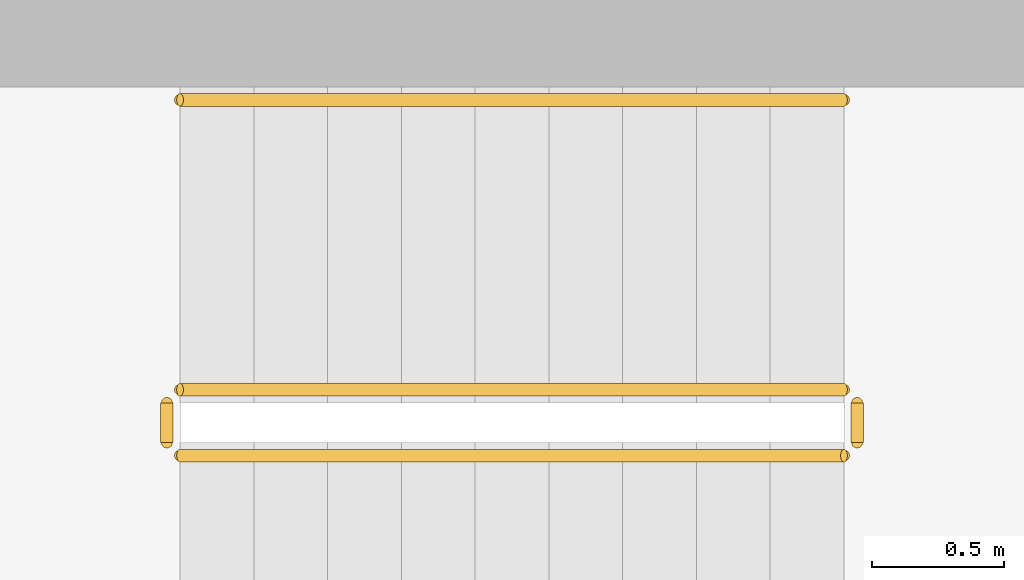
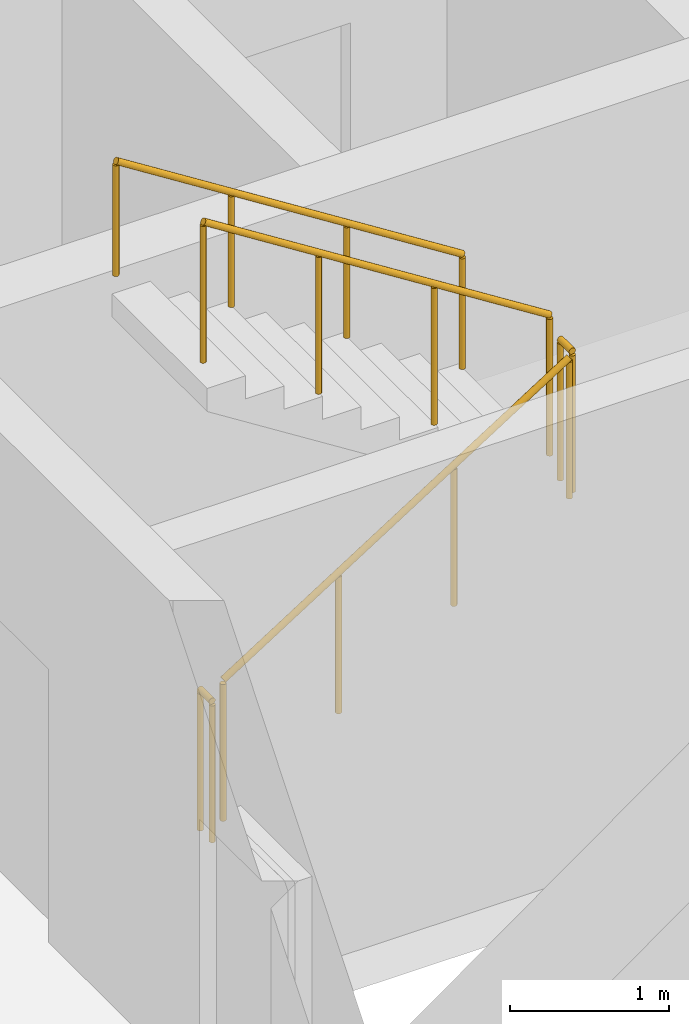
# One storey, part 12 of 14: 5 railings.
"""IFC4 building model written with IfcOpenShell, lengths in metres."""

from ifc_helpers import new_model, si_unit, direction, frame, origin, origin_2d, place, context, subcontext, project, spatial, circle, extrude, material, type_object, element, save


model = new_model("IFC4")

# Units and contexts
model_context = context("Model", 3, precision=1e-05, world=origin(), true_north=direction((0.0, 1.0)))
body_context = subcontext(model_context, "Body", "Model", "MODEL_VIEW")
ifc_project = project(units=[si_unit("LENGTHUNIT", "METRE"), si_unit("AREAUNIT", "SQUARE_METRE"), si_unit("VOLUMEUNIT", "CUBIC_METRE"), si_unit("PLANEANGLEUNIT", "RADIAN"), si_unit("MASSUNIT", "GRAM", prefix="KILO")], contexts=[model_context])

# Site, building, storey
site_placement = place(None, origin())
site = spatial("IfcSite", under=ifc_project, at=site_placement, CompositionType="ELEMENT")
building_placement = place(site_placement, origin())
building = spatial("IfcBuilding", under=site, at=building_placement, Name="Ostrand Prow Hotel Tower", CompositionType="ELEMENT")
storey_placement = place(building_placement, frame((0.0, 0.0, 267.89990234375)))
storey = spatial("IfcBuildingStorey", under=building, at=storey_placement, Name="L67", CompositionType="ELEMENT", Elevation=267.89990234375)

# Railings
ifc_material_1 = material(Name="Painted steel", Category="steel")
railing_type_1 = type_object("IfcRailingType", Name="Stair guard 1100", PredefinedType="GUARDRAIL", material=ifc_material_1)
railing_1_placement = place(storey_placement, frame((57.199951171875, -11.75, 0.177490234375)))
element("IfcRailing", 1, at=railing_1_placement, inside=storey, type_object=railing_type_1, Name="L67 ST2C stair guard 1", PredefinedType="GUARDRAIL", context=body_context, shape_type="SweptSolid", body=[
    extrude(circle(Radius=0.02392578125, at=origin_2d()), frame((0.0, 0.0, 1.076171875), z_axis=(0.84456994832, 0.0, 0.535445237532), x_axis=(0.0, 1.0, 0.0)), (0.0, 0.0, 1.0), 2.98388671875),
    extrude(circle(Radius=0.02099609375, at=origin_2d()), origin(), (0.0, 0.0, 1.0), 1.052001953125),
    extrude(circle(Radius=0.02099609375, at=origin_2d()), frame((0.840087890625, 0.0, 0.532470703125)), (0.0, 0.0, 1.0), 1.052001953125),
    extrude(circle(Radius=0.02099609375, at=origin_2d()), frame((1.679931640625, 0.0, 1.065185546875)), (0.0, 0.0, 1.0), 1.052001953125),
    extrude(circle(Radius=0.02099609375, at=origin_2d()), frame((2.52001953125, 0.0, 1.59765625)), (0.0, 0.0, 1.0), 1.052001953125),
])
railing_2_placement = place(storey_placement, frame((59.77001953125, -11.699951171875, 1.775146484375)))
element("IfcRailing", 2, at=railing_2_placement, inside=storey, type_object=railing_type_1, Name="L67 ST2C stair guard 2", PredefinedType="GUARDRAIL", context=body_context, shape_type="SweptSolid", body=[
    extrude(circle(Radius=0.02392578125, at=origin_2d()), frame((0.0, 0.0, 1.076171875), z_axis=(0.0, 1.0, 0.0), x_axis=(-1.0, 0.0, 0.0)), (0.0, 0.0, 1.0), 0.14990234375),
    extrude(circle(Radius=0.02099609375, at=origin_2d()), origin(), (0.0, 0.0, 1.0), 1.052001953125),
    extrude(circle(Radius=0.02099609375, at=origin_2d()), frame((0.0, 0.14990234375, 0.0)), (0.0, 0.0, 1.0), 1.052001953125),
])
railing_3_placement = place(storey_placement, frame((59.719970703125, -11.5, 1.95263671875)))
element("IfcRailing", 3, at=railing_3_placement, inside=storey, type_object=railing_type_1, Name="L67 ST2C stair guard 3", PredefinedType="GUARDRAIL", context=body_context, shape_type="SweptSolid", body=[
    extrude(circle(Radius=0.02392578125, at=origin_2d()), frame((0.0, 0.0, 1.076171875), z_axis=(-0.84460694969, 0.0, 0.535386869969), x_axis=(0.0, -1.0, 0.0)), (0.0, 0.0, 1.0), 2.983642578125),
    extrude(circle(Radius=0.02099609375, at=origin_2d()), origin(), (0.0, 0.0, 1.0), 1.052001953125),
    extrude(circle(Radius=0.02099609375, at=origin_2d()), frame((-0.840087890625, 0.0, 0.532470703125)), (0.0, 0.0, 1.0), 1.052001953125),
    extrude(circle(Radius=0.02099609375, at=origin_2d()), frame((-1.679931640625, 0.0, 1.06494140625)), (0.0, 0.0, 1.0), 1.052001953125),
    extrude(circle(Radius=0.02099609375, at=origin_2d()), frame((-2.52001953125, 0.0, 1.597412109375)), (0.0, 0.0, 1.0), 1.052001953125),
])
railing_4_placement = place(storey_placement, frame((57.14990234375, -11.699951171875, 0.0)))
element("IfcRailing", 4, at=railing_4_placement, inside=storey, type_object=railing_type_1, Name="L67 ST2C stair guard 4", PredefinedType="GUARDRAIL", context=body_context, shape_type="SweptSolid", body=[
    extrude(circle(Radius=0.02392578125, at=origin_2d()), frame((0.0, 0.0, 1.076171875), z_axis=(0.0, 1.0, 0.0), x_axis=(-1.0, 0.0, 0.0)), (0.0, 0.0, 1.0), 0.14990234375),
    extrude(circle(Radius=0.02099609375, at=origin_2d()), origin(), (0.0, 0.0, 1.0), 1.052001953125),
    extrude(circle(Radius=0.02099609375, at=origin_2d()), frame((0.0, 0.14990234375, 0.0)), (0.0, 0.0, 1.0), 1.052001953125),
])
ifc_material_2 = material(Name="Stainless steel", Category="steel")
railing_type_2 = type_object("IfcRailingType", Name="Stair handrail 900", PredefinedType="HANDRAIL", material=ifc_material_2)
railing_5_placement = place(storey_placement, frame((59.719970703125, -10.39990234375, 1.95263671875)))
element("IfcRailing", 5, at=railing_5_placement, inside=storey, type_object=railing_type_2, Name="L67 ST2C stair handrail 2", PredefinedType="HANDRAIL", context=body_context, shape_type="SweptSolid", body=[
    extrude(circle(Radius=0.02392578125, at=origin_2d()), frame((0.0, 0.0, 0.8759765625), z_axis=(-0.84460694969, 0.0, 0.535386869969), x_axis=(0.0, -1.0, 0.0)), (0.0, 0.0, 1.0), 2.983642578125),
    extrude(circle(Radius=0.02099609375, at=origin_2d()), origin(), (0.0, 0.0, 1.0), 0.851806640625),
    extrude(circle(Radius=0.02099609375, at=origin_2d()), frame((-0.840087890625, 0.0, 0.532470703125)), (0.0, 0.0, 1.0), 0.851806640625),
    extrude(circle(Radius=0.02099609375, at=origin_2d()), frame((-1.679931640625, 0.0, 1.06494140625)), (0.0, 0.0, 1.0), 0.851806640625),
    extrude(circle(Radius=0.02099609375, at=origin_2d()), frame((-2.52001953125, 0.0, 1.597412109375)), (0.0, 0.0, 1.0), 0.851806640625),
])

save(model, "model.ifc")
